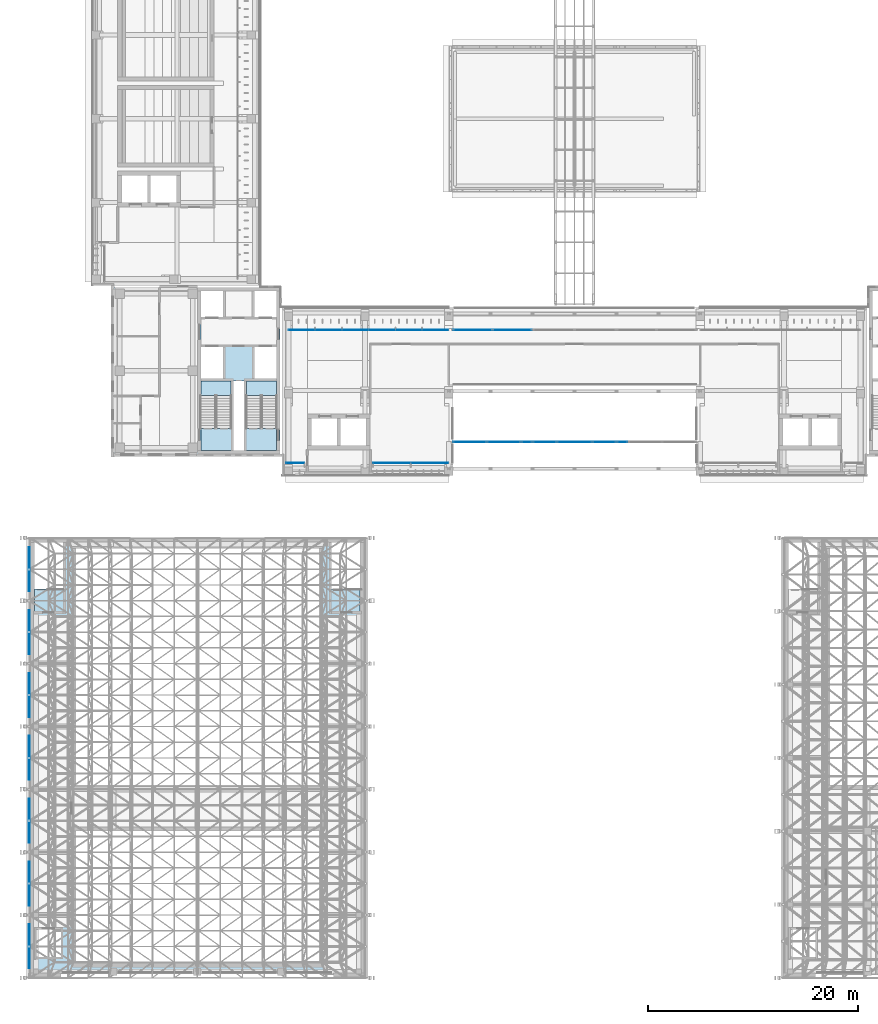
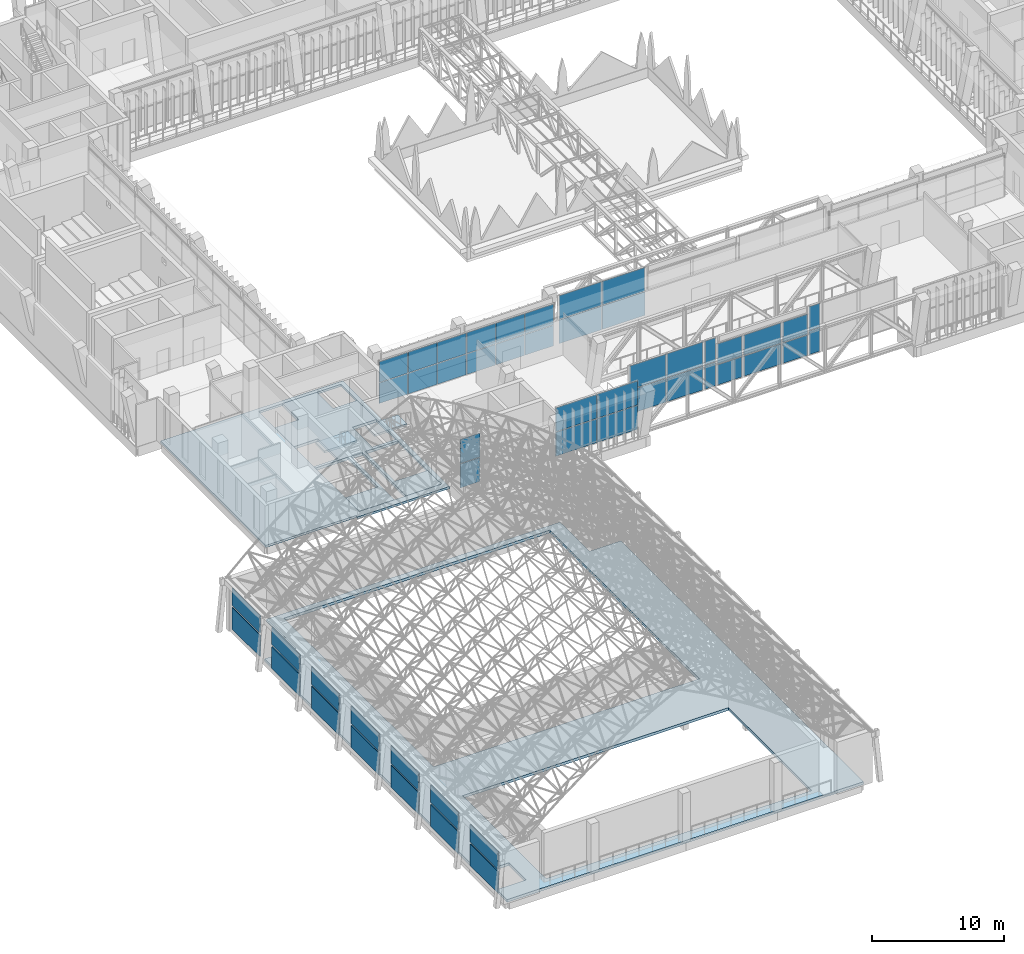
# One storey, part 90 of 141: 50 plates, 5 slabs, 12 elements without a shape of their own.
"""IFC4 building model written with IfcOpenShell, lengths in metres."""

from ifc_helpers import new_model, si_unit, direction, frame, origin, origin_2d, place, context, subcontext, project, spatial, polyline, rectangle, outline, extrude, material, layer, layer_set, type_object, element, aggregate, save


model = new_model("IFC4")

# Units and contexts
model_context = context("Model", 3, precision=1e-05, world=origin(), true_north=direction((0.0, 1.0)))
body_context = subcontext(model_context, "Body", "Model", "MODEL_VIEW")
ifc_project = project(units=[si_unit("LENGTHUNIT", "METRE"), si_unit("AREAUNIT", "SQUARE_METRE"), si_unit("VOLUMEUNIT", "CUBIC_METRE"), si_unit("PLANEANGLEUNIT", "RADIAN"), si_unit("MASSUNIT", "GRAM", prefix="KILO")], contexts=[model_context])

# Site, building, storey
site_placement = place(None, origin())
site = spatial("IfcSite", under=ifc_project, at=site_placement, CompositionType="ELEMENT")
building_placement = place(site_placement, origin())
building = spatial("IfcBuilding", under=site, at=building_placement, Name="Lantern Court Media Centre", CompositionType="ELEMENT")
storey_placement = place(building_placement, frame((0.0, 0.0, 9.60009765625)))
storey = spatial("IfcBuildingStorey", under=building, at=storey_placement, Name="L02", CompositionType="ELEMENT", Elevation=9.60009765625)

# Slab
ifc_material_1 = material(Name="Concrete C40", Category="concrete")
ifc_layer_1 = layer(ifc_material_1, 0.25)
ifc_layer_set_1 = layer_set([ifc_layer_1], Name="Concrete C40")
slab_type_1 = type_object("IfcSlabType", Name="Core floor slab 250", PredefinedType="FLOOR", material=ifc_layer_set_1)
slab_1_placement = place(storey_placement, frame((0.0, 0.0, -0.25)))
element("IfcSlab", 1, at=slab_1_placement, inside=storey, type_object=slab_type_1, Name="L02 SW core floor", PredefinedType="FLOOR", context=body_context, shape_type="SweptSolid", body=[
    extrude(outline(polyline([(16.35009765625, 58.199951171875), (16.35009765625, 61.10009765625), (18.449951171875, 61.10009765625), (18.449951171875, 63.550048828125), (21.449951171875, 63.550048828125), (21.449951171875, 61.10009765625), (23.550048828125, 61.10009765625), (23.550048828125, 58.199951171875), (21.449951171875, 58.199951171875), (21.449951171875, 55.199951171875), (23.550048828125, 55.199951171875), (23.550048828125, 54.94970703125), (20.700439453125, 54.94970703125), (20.700439453125, 50.450439453125), (23.550048828125, 50.450439453125), (23.550048828125, 48.35009765625), (20.449951171875, 48.35009765625), (20.449951171875, 54.949951171875), (19.449951171875, 54.949951171875), (19.449951171875, 48.35009765625), (16.35009765625, 48.35009765625), (16.35009765625, 50.450439453125), (19.19970703125, 50.450439453125), (19.19970703125, 54.94970703125), (16.35009765625, 54.94970703125), (16.35009765625, 55.199951171875), (18.449951171875, 55.199951171875), (18.449951171875, 58.199951171875), (16.35009765625, 58.199951171875)])), origin(), (0.0, 0.0, 1.0), 0.25),
])

# Curtain wall, plates
ifc_material_2 = material(Name="Curtain wall bay 2400")
curtain_wall_type_1 = type_object("IfcCurtainWallType", Name="Curtain wall bay 2400", PredefinedType="NOTDEFINED", material=ifc_material_2)
curtain_wall_1_placement = place(storey_placement, origin())
curtain_wall_1 = element("IfcCurtainWall", 2, at=curtain_wall_1_placement, inside=storey, type_object=curtain_wall_type_1, Name="Curtain wall S inner L02", PredefinedType="NOTDEFINED")
ifc_material_3 = material(Name="Low-iron double glazed unit glass", Category="glass")
ifc_layer_2 = layer(ifc_material_3, 0.02392578125)
ifc_layer_set_2 = layer_set([ifc_layer_2], Name="Low-iron double glazed unit glass")
plate_type_1 = type_object("IfcPlateType", Name="Curtain wall glazing unit 24", PredefinedType="CURTAIN_PANEL", material=ifc_layer_set_2)
plate_1_placement = place(storey_placement, frame((25.987548828125, 59.85009765625, 0.050048828125), z_axis=(0.0, 0.0, 1.0), x_axis=(1.0, 0.0, 0.0)))
plate_1 = element("IfcPlate", 3, at=plate_1_placement, type_object=plate_type_1, Name="CW2 panel 1.1", PredefinedType="CURTAIN_PANEL", context=body_context, shape_type="SweptSolid", body=[
    extrude(rectangle(XDim=2.47509765625, YDim=0.02392578125, at=origin_2d()), origin(), (0.0, 0.0, 1.0), 1.89990234375),
])
plate_2_placement = place(storey_placement, frame((25.987548828125, 59.85009765625, 2.0), z_axis=(0.0, 0.0, 1.0), x_axis=(1.0, 0.0, 0.0)))
plate_2 = element("IfcPlate", 4, at=plate_2_placement, type_object=plate_type_1, Name="CW2 panel 1.2", PredefinedType="CURTAIN_PANEL", context=body_context, shape_type="SweptSolid", body=[
    extrude(rectangle(XDim=2.47509765625, YDim=0.02392578125, at=origin_2d()), origin(), (0.0, 0.0, 1.0), 1.89990234375),
])
plate_3_placement = place(storey_placement, frame((28.52490234375, 59.85009765625, 0.050048828125), z_axis=(0.0, 0.0, 1.0), x_axis=(1.0, 0.0, 0.0)))
plate_3 = element("IfcPlate", 5, at=plate_3_placement, type_object=plate_type_1, Name="CW2 panel 2.1", PredefinedType="CURTAIN_PANEL", context=body_context, shape_type="SweptSolid", body=[
    extrude(rectangle(XDim=2.5, YDim=0.02392578125, at=origin_2d()), origin(), (0.0, 0.0, 1.0), 1.89990234375),
])
plate_4_placement = place(storey_placement, frame((28.52490234375, 59.85009765625, 2.0), z_axis=(0.0, 0.0, 1.0), x_axis=(1.0, 0.0, 0.0)))
plate_4 = element("IfcPlate", 6, at=plate_4_placement, type_object=plate_type_1, Name="CW2 panel 2.2", PredefinedType="CURTAIN_PANEL", context=body_context, shape_type="SweptSolid", body=[
    extrude(rectangle(XDim=2.5, YDim=0.02392578125, at=origin_2d()), origin(), (0.0, 0.0, 1.0), 1.89990234375),
])
plate_5_placement = place(storey_placement, frame((31.074951171875, 59.85009765625, 0.050048828125), z_axis=(0.0, 0.0, 1.0), x_axis=(1.0, 0.0, 0.0)))
plate_5 = element("IfcPlate", 7, at=plate_5_placement, type_object=plate_type_1, Name="CW2 panel 3.1", PredefinedType="CURTAIN_PANEL", context=body_context, shape_type="SweptSolid", body=[
    extrude(rectangle(XDim=2.5, YDim=0.02392578125, at=origin_2d()), origin(), (0.0, 0.0, 1.0), 1.89990234375),
])
plate_6_placement = place(storey_placement, frame((31.074951171875, 59.85009765625, 2.0), z_axis=(0.0, 0.0, 1.0), x_axis=(1.0, 0.0, 0.0)))
plate_6 = element("IfcPlate", 8, at=plate_6_placement, type_object=plate_type_1, Name="CW2 panel 3.2", PredefinedType="CURTAIN_PANEL", context=body_context, shape_type="SweptSolid", body=[
    extrude(rectangle(XDim=2.5, YDim=0.02392578125, at=origin_2d()), origin(), (0.0, 0.0, 1.0), 1.89990234375),
])
plate_7_placement = place(storey_placement, frame((33.625, 59.85009765625, 0.050048828125), z_axis=(0.0, 0.0, 1.0), x_axis=(1.0, 0.0, 0.0)))
plate_7 = element("IfcPlate", 9, at=plate_7_placement, type_object=plate_type_1, Name="CW2 panel 4.1", PredefinedType="CURTAIN_PANEL", context=body_context, shape_type="SweptSolid", body=[
    extrude(rectangle(XDim=2.5, YDim=0.02392578125, at=origin_2d()), origin(), (0.0, 0.0, 1.0), 1.89990234375),
])
plate_8_placement = place(storey_placement, frame((33.625, 59.85009765625, 2.0), z_axis=(0.0, 0.0, 1.0), x_axis=(1.0, 0.0, 0.0)))
plate_8 = element("IfcPlate", 10, at=plate_8_placement, type_object=plate_type_1, Name="CW2 panel 4.2", PredefinedType="CURTAIN_PANEL", context=body_context, shape_type="SweptSolid", body=[
    extrude(rectangle(XDim=2.5, YDim=0.02392578125, at=origin_2d()), origin(), (0.0, 0.0, 1.0), 1.89990234375),
])
plate_9_placement = place(storey_placement, frame((36.175048828125, 59.85009765625, 0.050048828125), z_axis=(0.0, 0.0, 1.0), x_axis=(1.0, 0.0, 0.0)))
plate_9 = element("IfcPlate", 11, at=plate_9_placement, type_object=plate_type_1, Name="CW2 panel 5.1", PredefinedType="CURTAIN_PANEL", context=body_context, shape_type="SweptSolid", body=[
    extrude(rectangle(XDim=2.5, YDim=0.02392578125, at=origin_2d()), origin(), (0.0, 0.0, 1.0), 1.89990234375),
])
plate_10_placement = place(storey_placement, frame((36.175048828125, 59.85009765625, 2.0), z_axis=(0.0, 0.0, 1.0), x_axis=(1.0, 0.0, 0.0)))
plate_10 = element("IfcPlate", 12, at=plate_10_placement, type_object=plate_type_1, Name="CW2 panel 5.2", PredefinedType="CURTAIN_PANEL", context=body_context, shape_type="SweptSolid", body=[
    extrude(rectangle(XDim=2.5, YDim=0.02392578125, at=origin_2d()), origin(), (0.0, 0.0, 1.0), 1.89990234375),
])
plate_11_placement = place(storey_placement, frame((38.71240234375, 59.85009765625, 2.0), z_axis=(0.0, 0.0, 1.0), x_axis=(1.0, 0.0, 0.0)))
plate_11 = element("IfcPlate", 13, at=plate_11_placement, type_object=plate_type_1, Name="CW2 panel 6.2", PredefinedType="CURTAIN_PANEL", context=body_context, shape_type="SweptSolid", body=[
    extrude(rectangle(XDim=2.47509765625, YDim=0.02392578125, at=origin_2d()), origin(), (0.0, 0.0, 1.0), 1.89990234375),
])

ifc_material_4 = material(Name="Curtain wall bay 3000")
curtain_wall_type_2 = type_object("IfcCurtainWallType", Name="Curtain wall bay 3000", PredefinedType="NOTDEFINED", material=ifc_material_4)
curtain_wall_2_placement = place(storey_placement, origin())
curtain_wall_2 = element("IfcCurtainWall", 14, at=curtain_wall_2_placement, inside=storey, type_object=curtain_wall_type_2, Name="Curtain wall S outer L02", PredefinedType="NOTDEFINED")
ifc_layer_3 = layer(ifc_material_3, 0.028076171875)
ifc_layer_set_3 = layer_set([ifc_layer_3], Name="Low-iron double glazed unit glass")
plate_type_2 = type_object("IfcPlateType", Name="Curtain wall glazing unit 28", PredefinedType="CURTAIN_PANEL", material=ifc_layer_set_3)
plate_12_placement = place(storey_placement, frame((25.3349609375, 47.14990234375, 0.06005859375), z_axis=(0.0, 0.0, 1.0), x_axis=(1.0, 0.0, 0.0)))
plate_12 = element("IfcPlate", 15, at=plate_12_placement, type_object=plate_type_2, Name="CW1 panel 1.1", PredefinedType="CURTAIN_PANEL", context=body_context, shape_type="SweptSolid", body=[
    extrude(rectangle(XDim=1.7099609375, YDim=0.028076171875, at=origin_2d()), origin(), (0.0, 0.0, 1.0), 2.199951171875),
])
plate_13_placement = place(storey_placement, frame((25.3349609375, 47.14990234375, 2.31982421875), z_axis=(0.0, 0.0, 1.0), x_axis=(1.0, 0.0, 0.0)))
plate_13 = element("IfcPlate", 16, at=plate_13_placement, type_object=plate_type_2, Name="CW1 panel 1.2", PredefinedType="CURTAIN_PANEL", context=body_context, shape_type="SweptSolid", body=[
    extrude(rectangle(XDim=1.7099609375, YDim=0.028076171875, at=origin_2d()), origin(), (0.0, 0.0, 1.0), 2.199951171875),
])
aggregate(curtain_wall_2, [plate_12, plate_13])

curtain_wall_3_placement = place(storey_placement, origin())
curtain_wall_3 = element("IfcCurtainWall", 17, at=curtain_wall_3_placement, inside=storey, type_object=curtain_wall_type_2, Name="Curtain wall S outer L02", PredefinedType="NOTDEFINED")
plate_14_placement = place(storey_placement, frame((34.577392578125, 47.14990234375, 0.06005859375), z_axis=(0.0, 0.0, 1.0), x_axis=(1.0, 0.0, 0.0)))
plate_14 = element("IfcPlate", 18, at=plate_14_placement, type_object=plate_type_2, Name="CW1 panel 1.1", PredefinedType="CURTAIN_PANEL", context=body_context, shape_type="SweptSolid", body=[
    extrude(rectangle(XDim=3.534912109375, YDim=0.028076171875, at=origin_2d()), origin(), (0.0, 0.0, 1.0), 2.199951171875),
])
plate_15_placement = place(storey_placement, frame((34.577392578125, 47.14990234375, 2.31982421875), z_axis=(0.0, 0.0, 1.0), x_axis=(1.0, 0.0, 0.0)))
plate_15 = element("IfcPlate", 19, at=plate_15_placement, type_object=plate_type_2, Name="CW1 panel 1.2", PredefinedType="CURTAIN_PANEL", context=body_context, shape_type="SweptSolid", body=[
    extrude(rectangle(XDim=3.534912109375, YDim=0.028076171875, at=origin_2d()), origin(), (0.0, 0.0, 1.0), 2.199951171875),
])
plate_16_placement = place(storey_placement, frame((38.172607421875, 47.14990234375, 0.06005859375), z_axis=(0.0, 0.0, 1.0), x_axis=(1.0, 0.0, 0.0)))
plate_16 = element("IfcPlate", 20, at=plate_16_placement, type_object=plate_type_2, Name="CW1 panel 2.1", PredefinedType="CURTAIN_PANEL", context=body_context, shape_type="SweptSolid", body=[
    extrude(rectangle(XDim=3.534912109375, YDim=0.028076171875, at=origin_2d()), origin(), (0.0, 0.0, 1.0), 2.199951171875),
])
plate_17_placement = place(storey_placement, frame((38.172607421875, 47.14990234375, 2.31982421875), z_axis=(0.0, 0.0, 1.0), x_axis=(1.0, 0.0, 0.0)))
plate_17 = element("IfcPlate", 21, at=plate_17_placement, type_object=plate_type_2, Name="CW1 panel 2.2", PredefinedType="CURTAIN_PANEL", context=body_context, shape_type="SweptSolid", body=[
    extrude(rectangle(XDim=3.534912109375, YDim=0.028076171875, at=origin_2d()), origin(), (0.0, 0.0, 1.0), 2.199951171875),
])
aggregate(curtain_wall_3, [plate_14, plate_15, plate_16, plate_17])

ifc_material_5 = material(Name="Curtain wall bay 4000")
curtain_wall_type_3 = type_object("IfcCurtainWallType", Name="Curtain wall bay 4000", PredefinedType="NOTDEFINED", material=ifc_material_5)
curtain_wall_4_placement = place(storey_placement, origin())
curtain_wall_4 = element("IfcCurtainWall", 22, at=curtain_wall_4_placement, inside=storey, type_object=curtain_wall_type_3, Name="Curtain wall S outer L02", PredefinedType="NOTDEFINED")
ifc_material_6 = material(Name="Laminated low-iron glass", Category="glass")
ifc_layer_4 = layer(ifc_material_6, 0.0400390625)
ifc_layer_set_4 = layer_set([ifc_layer_4], Name="Laminated low-iron glass")
plate_type_3 = type_object("IfcPlateType", Name="Curtain wall glazing unit 40", PredefinedType="CURTAIN_PANEL", material=ifc_layer_set_4)
plate_18_placement = place(storey_placement, frame((42.007568359375, 49.14990234375, 0.079833984375), z_axis=(0.0, 0.0, 1.0), x_axis=(1.0, 0.0, 0.0)))
plate_18 = element("IfcPlate", 23, at=plate_18_placement, type_object=plate_type_3, Name="CW3 panel 1.1", PredefinedType="CURTAIN_PANEL", context=body_context, shape_type="SweptSolid", body=[
    extrude(rectangle(XDim=3.155029296875, YDim=0.0400390625, at=origin_2d()), origin(), (0.0, 0.0, 1.0), 2.169921875),
])
plate_19_placement = place(storey_placement, frame((42.007568359375, 49.14990234375, 2.329833984375), z_axis=(0.0, 0.0, 1.0), x_axis=(1.0, 0.0, 0.0)))
plate_19 = element("IfcPlate", 24, at=plate_19_placement, type_object=plate_type_3, Name="CW3 panel 1.2", PredefinedType="CURTAIN_PANEL", context=body_context, shape_type="SweptSolid", body=[
    extrude(rectangle(XDim=3.155029296875, YDim=0.0400390625, at=origin_2d()), origin(), (0.0, 0.0, 1.0), 2.169921875),
])
plate_20_placement = place(storey_placement, frame((45.242431640625, 49.14990234375, 0.079833984375), z_axis=(0.0, 0.0, 1.0), x_axis=(1.0, 0.0, 0.0)))
plate_20 = element("IfcPlate", 25, at=plate_20_placement, type_object=plate_type_3, Name="CW3 panel 2.1", PredefinedType="CURTAIN_PANEL", context=body_context, shape_type="SweptSolid", body=[
    extrude(rectangle(XDim=3.155029296875, YDim=0.0400390625, at=origin_2d()), origin(), (0.0, 0.0, 1.0), 2.169921875),
])
plate_21_placement = place(storey_placement, frame((45.242431640625, 49.14990234375, 2.329833984375), z_axis=(0.0, 0.0, 1.0), x_axis=(1.0, 0.0, 0.0)))
plate_21 = element("IfcPlate", 26, at=plate_21_placement, type_object=plate_type_3, Name="CW3 panel 2.2", PredefinedType="CURTAIN_PANEL", context=body_context, shape_type="SweptSolid", body=[
    extrude(rectangle(XDim=3.155029296875, YDim=0.0400390625, at=origin_2d()), origin(), (0.0, 0.0, 1.0), 2.169921875),
])
aggregate(curtain_wall_4, [plate_18, plate_19, plate_20, plate_21])

curtain_wall_5_placement = place(storey_placement, origin())
curtain_wall_5 = element("IfcCurtainWall", 27, at=curtain_wall_5_placement, inside=storey, type_object=curtain_wall_type_3, Name="Curtain wall S outer L02", PredefinedType="NOTDEFINED")
plate_22_placement = place(storey_placement, frame((47.449951171875, 49.14990234375, 0.079833984375), z_axis=(0.0, 0.0, 1.0), x_axis=(1.0, 0.0, 0.0)))
plate_22 = element("IfcPlate", 28, at=plate_22_placement, type_object=plate_type_3, Name="CW3 panel 1.1", PredefinedType="CURTAIN_PANEL", context=body_context, shape_type="SweptSolid", body=[
    extrude(rectangle(XDim=0.93994140625, YDim=0.0400390625, at=origin_2d()), origin(), (0.0, 0.0, 1.0), 2.169921875),
])
plate_23_placement = place(storey_placement, frame((47.449951171875, 49.14990234375, 2.329833984375), z_axis=(0.0, 0.0, 1.0), x_axis=(1.0, 0.0, 0.0)))
plate_23 = element("IfcPlate", 29, at=plate_23_placement, type_object=plate_type_3, Name="CW3 panel 1.2", PredefinedType="CURTAIN_PANEL", context=body_context, shape_type="SweptSolid", body=[
    extrude(rectangle(XDim=0.93994140625, YDim=0.0400390625, at=origin_2d()), origin(), (0.0, 0.0, 1.0), 2.169921875),
])
aggregate(curtain_wall_5, [plate_22, plate_23])

curtain_wall_6_placement = place(storey_placement, origin())
curtain_wall_6 = element("IfcCurtainWall", 30, at=curtain_wall_6_placement, inside=storey, type_object=curtain_wall_type_3, Name="Curtain wall S outer L02", PredefinedType="NOTDEFINED")
plate_24_placement = place(storey_placement, frame((49.14990234375, 49.14990234375, 0.079833984375), z_axis=(0.0, 0.0, 1.0), x_axis=(1.0, 0.0, 0.0)))
plate_24 = element("IfcPlate", 31, at=plate_24_placement, type_object=plate_type_3, Name="CW3 panel 1.1", PredefinedType="CURTAIN_PANEL", context=body_context, shape_type="SweptSolid", body=[
    extrude(rectangle(XDim=2.139892578125, YDim=0.0400390625, at=origin_2d()), origin(), (0.0, 0.0, 1.0), 1.85498046875),
])
plate_25_placement = place(storey_placement, frame((49.14990234375, 49.14990234375, 2.014892578125), z_axis=(0.0, 0.0, 1.0), x_axis=(1.0, 0.0, 0.0)))
plate_25 = element("IfcPlate", 32, at=plate_25_placement, type_object=plate_type_3, Name="CW3 panel 1.2", PredefinedType="CURTAIN_PANEL", context=body_context, shape_type="SweptSolid", body=[
    extrude(rectangle(XDim=2.139892578125, YDim=0.0400390625, at=origin_2d()), origin(), (0.0, 0.0, 1.0), 1.85498046875),
])
aggregate(curtain_wall_6, [plate_24, plate_25])

curtain_wall_7_placement = place(storey_placement, origin())
curtain_wall_7 = element("IfcCurtainWall", 33, at=curtain_wall_7_placement, inside=storey, type_object=curtain_wall_type_3, Name="Curtain wall S outer L02", PredefinedType="NOTDEFINED")
plate_26_placement = place(storey_placement, frame((52.0, 49.14990234375, 0.079833984375), z_axis=(0.0, 0.0, 1.0), x_axis=(1.0, 0.0, 0.0)))
plate_26 = element("IfcPlate", 34, at=plate_26_placement, type_object=plate_type_3, Name="CW3 panel 1.1", PredefinedType="CURTAIN_PANEL", context=body_context, shape_type="SweptSolid", body=[
    extrude(rectangle(XDim=3.239990234375, YDim=0.0400390625, at=origin_2d()), origin(), (0.0, 0.0, 1.0), 1.85498046875),
])
plate_27_placement = place(storey_placement, frame((52.0, 49.14990234375, 2.014892578125), z_axis=(0.0, 0.0, 1.0), x_axis=(1.0, 0.0, 0.0)))
plate_27 = element("IfcPlate", 35, at=plate_27_placement, type_object=plate_type_3, Name="CW3 panel 1.2", PredefinedType="CURTAIN_PANEL", context=body_context, shape_type="SweptSolid", body=[
    extrude(rectangle(XDim=3.239990234375, YDim=0.0400390625, at=origin_2d()), origin(), (0.0, 0.0, 1.0), 1.85498046875),
])
aggregate(curtain_wall_7, [plate_26, plate_27])

curtain_wall_8_placement = place(storey_placement, origin())
curtain_wall_8 = element("IfcCurtainWall", 36, at=curtain_wall_8_placement, inside=storey, type_object=curtain_wall_type_3, Name="Curtain wall S outer L02", PredefinedType="NOTDEFINED")
plate_28_placement = place(storey_placement, frame((54.85009765625, 49.14990234375, 0.079833984375), z_axis=(0.0, 0.0, 1.0), x_axis=(1.0, 0.0, 0.0)))
plate_28 = element("IfcPlate", 37, at=plate_28_placement, type_object=plate_type_3, Name="CW3 panel 1.1", PredefinedType="CURTAIN_PANEL", context=body_context, shape_type="SweptSolid", body=[
    extrude(rectangle(XDim=2.139892578125, YDim=0.0400390625, at=origin_2d()), origin(), (0.0, 0.0, 1.0), 1.85498046875),
])
plate_29_placement = place(storey_placement, frame((54.85009765625, 49.14990234375, 2.014892578125), z_axis=(0.0, 0.0, 1.0), x_axis=(1.0, 0.0, 0.0)))
plate_29 = element("IfcPlate", 38, at=plate_29_placement, type_object=plate_type_3, Name="CW3 panel 1.2", PredefinedType="CURTAIN_PANEL", context=body_context, shape_type="SweptSolid", body=[
    extrude(rectangle(XDim=2.139892578125, YDim=0.0400390625, at=origin_2d()), origin(), (0.0, 0.0, 1.0), 1.85498046875),
])
aggregate(curtain_wall_8, [plate_28, plate_29])

curtain_wall_9_placement = place(storey_placement, origin())
curtain_wall_9 = element("IfcCurtainWall", 39, at=curtain_wall_9_placement, inside=storey, type_object=curtain_wall_type_3, Name="Curtain wall S outer L02", PredefinedType="NOTDEFINED")
plate_30_placement = place(storey_placement, frame((56.550048828125, 49.14990234375, 0.079833984375), z_axis=(0.0, 0.0, 1.0), x_axis=(1.0, 0.0, 0.0)))
plate_30 = element("IfcPlate", 40, at=plate_30_placement, type_object=plate_type_3, Name="CW3 panel 1.1", PredefinedType="CURTAIN_PANEL", context=body_context, shape_type="SweptSolid", body=[
    extrude(rectangle(XDim=0.93994140625, YDim=0.0400390625, at=origin_2d()), origin(), (0.0, 0.0, 1.0), 2.169921875),
])
plate_31_placement = place(storey_placement, frame((56.550048828125, 49.14990234375, 2.329833984375), z_axis=(0.0, 0.0, 1.0), x_axis=(1.0, 0.0, 0.0)))
plate_31 = element("IfcPlate", 41, at=plate_31_placement, type_object=plate_type_3, Name="CW3 panel 1.2", PredefinedType="CURTAIN_PANEL", context=body_context, shape_type="SweptSolid", body=[
    extrude(rectangle(XDim=0.93994140625, YDim=0.0400390625, at=origin_2d()), origin(), (0.0, 0.0, 1.0), 2.169921875),
])
aggregate(curtain_wall_9, [plate_30, plate_31])

# Plate
ifc_material_7 = material(Name="Insulated aluminium spandrel panel", Category="aluminium")
ifc_layer_5 = layer(ifc_material_7, 0.02392578125)
ifc_layer_set_5 = layer_set([ifc_layer_5], Name="Insulated aluminium spandrel panel")
plate_type_4 = type_object("IfcPlateType", Name="Curtain wall spandrel panel 24", PredefinedType="CURTAIN_PANEL", material=ifc_layer_set_5)
plate_32_placement = place(storey_placement, frame((38.71240234375, 59.85009765625, 0.050048828125), z_axis=(0.0, 0.0, 1.0), x_axis=(1.0, 0.0, 0.0)))
plate_32 = element("IfcPlate", 42, at=plate_32_placement, type_object=plate_type_4, Name="CW2 panel 6.1", PredefinedType="CURTAIN_PANEL", context=body_context, shape_type="SweptSolid", body=[
    extrude(rectangle(XDim=2.47509765625, YDim=0.02392578125, at=origin_2d()), origin(), (0.0, 0.0, 1.0), 1.89990234375),
])

aggregate(curtain_wall_1, [plate_1, plate_2, plate_3, plate_4, plate_5, plate_6, plate_7, plate_8, plate_9, plate_10, plate_32, plate_11])

# Curtain wall, plates
curtain_wall_10_placement = place(storey_placement, origin())
curtain_wall_10 = element("IfcCurtainWall", 43, at=curtain_wall_10_placement, inside=storey, type_object=curtain_wall_type_3, Name="Curtain wall S inner L02", PredefinedType="NOTDEFINED")
plate_33_placement = place(storey_placement, frame((42.282470703125, 59.85009765625, 0.079833984375), z_axis=(0.0, 0.0, 1.0), x_axis=(1.0, 0.0, 0.0)))
plate_33 = element("IfcPlate", 44, at=plate_33_placement, type_object=plate_type_4, Name="CW3 panel 1.1", PredefinedType="CURTAIN_PANEL", context=body_context, shape_type="SweptSolid", body=[
    extrude(rectangle(XDim=3.705078125, YDim=0.0400390625, at=origin_2d()), origin(), (0.0, 0.0, 1.0), 2.169921875),
])
plate_34_placement = place(storey_placement, frame((42.282470703125, 59.85009765625, 2.329833984375), z_axis=(0.0, 0.0, 1.0), x_axis=(1.0, 0.0, 0.0)))
plate_34 = element("IfcPlate", 45, at=plate_34_placement, type_object=plate_type_4, Name="CW3 panel 1.2", PredefinedType="CURTAIN_PANEL", context=body_context, shape_type="SweptSolid", body=[
    extrude(rectangle(XDim=3.705078125, YDim=0.0400390625, at=origin_2d()), origin(), (0.0, 0.0, 1.0), 2.169921875),
])
plate_35_placement = place(storey_placement, frame((46.0673828125, 59.85009765625, 0.079833984375), z_axis=(0.0, 0.0, 1.0), x_axis=(1.0, 0.0, 0.0)))
plate_35 = element("IfcPlate", 46, at=plate_35_placement, type_object=plate_type_4, Name="CW3 panel 2.1", PredefinedType="CURTAIN_PANEL", context=body_context, shape_type="SweptSolid", body=[
    extrude(rectangle(XDim=3.705078125, YDim=0.0400390625, at=origin_2d()), origin(), (0.0, 0.0, 1.0), 2.169921875),
])
plate_36_placement = place(storey_placement, frame((46.0673828125, 59.85009765625, 2.329833984375), z_axis=(0.0, 0.0, 1.0), x_axis=(1.0, 0.0, 0.0)))
plate_36 = element("IfcPlate", 47, at=plate_36_placement, type_object=plate_type_4, Name="CW3 panel 2.2", PredefinedType="CURTAIN_PANEL", context=body_context, shape_type="SweptSolid", body=[
    extrude(rectangle(XDim=3.705078125, YDim=0.0400390625, at=origin_2d()), origin(), (0.0, 0.0, 1.0), 2.169921875),
])
aggregate(curtain_wall_10, [plate_33, plate_34, plate_35, plate_36])

# Slabs
ifc_material_8 = material(Name="Concrete C35", Category="concrete")
ifc_layer_6 = layer(ifc_material_8, 0.199951171875)
ifc_layer_set_6 = layer_set([ifc_layer_6], Name="Concrete C35")
slab_type_2 = type_object("IfcSlabType", Name="RC FLOOR SLAB 200", PredefinedType="FLOOR", material=ifc_layer_set_6)
slab_2_placement = place(storey_placement, frame((0.0, 0.0, -0.2001953125)))
element("IfcSlab", 48, at=slab_2_placement, inside=storey, type_object=slab_type_2, Name="SL-SW-L02", PredefinedType="FLOOR", context=body_context, shape_type="SweptSolid", body=[
    extrude(outline(polyline([(8.0, 63.89990234375), (23.89990234375, 63.89990234375), (23.89990234375, 48.0), (23.89990234375, 47.780029296875), (15.89990234375, 47.780029296875), (15.89990234375, 48.0), (8.0, 48.0), (8.0, 63.89990234375)]), holes=[polyline([(16.35009765625, 63.550048828125), (16.35009765625, 48.35009765625), (23.550048828125, 48.35009765625), (23.550048828125, 63.550048828125), (16.35009765625, 63.550048828125)])]), origin(), (0.0, 0.0, 1.0), 0.2001953125),
])
ifc_layer_7 = layer(ifc_material_8, 0.25)
ifc_layer_set_7 = layer_set([ifc_layer_7], Name="Concrete C35")
slab_type_3 = type_object("IfcSlabType", Name="RC FLOOR SLAB 250", PredefinedType="FLOOR", material=ifc_layer_set_7)
slab_3_placement = place(storey_placement, frame((0.0, 0.0, -0.25)))
element("IfcSlab", 49, at=slab_3_placement, inside=storey, type_object=slab_type_3, Name="SL-V1-L02", PredefinedType="FLOOR", context=body_context, shape_type="SweptSolid", body=[
    extrude(outline(polyline([(0.449951171875, 35.100341796875), (3.19970703125, 35.100341796875), (3.19970703125, 39.550048828125), (28.80029296875, 39.550048828125), (28.80029296875, 35.100341796875), (31.550048828125, 35.100341796875), (31.550048828125, -1.550048828125), (0.449951171875, -1.550048828125), (0.449951171875, 35.100341796875)]), holes=[polyline([(27.60009765625, 12.0), (4.39990234375, 12.0), (4.39990234375, -0.60009765625), (27.60009765625, -0.60009765625), (27.60009765625, 12.0)]), polyline([(27.60009765625, 39.0), (4.39990234375, 39.0), (4.39990234375, 16.39990234375), (27.60009765625, 16.39990234375), (27.60009765625, 39.0)]), polyline([(0.60009765625, 0.0), (3.0, 0.0), (3.0, 2.60009765625), (0.60009765625, 2.60009765625), (0.60009765625, 0.0)])]), origin(), (0.0, 0.0, 1.0), 0.25),
])

# Stair, slab
stair_type = type_object("IfcStairType", Name="Exit stair 1350", PredefinedType="HALF_TURN_STAIR", material=ifc_material_1)
stair_1_placement = place(storey_placement, origin())
stair_1 = element("IfcStair", 50, at=stair_1_placement, inside=storey, type_object=stair_type, Name="L02 SW exit stair A", PredefinedType="HALF_TURN_STAIR")
ifc_layer_8 = layer(ifc_material_1, 0.199951171875)
ifc_layer_set_8 = layer_set([ifc_layer_8], Name="Concrete C40")
slab_type_4 = type_object("IfcSlabType", Name="Stair landing RC 200", PredefinedType="LANDING", material=ifc_layer_set_8)
slab_4_placement = place(storey_placement, frame((0.0, 0.0, 2.199951171875)))
slab_4 = element("IfcSlab", 51, at=slab_4_placement, type_object=slab_type_4, Name="ST-SWA landing 1", PredefinedType="LANDING", context=body_context, shape_type="SweptSolid", body=[
    extrude(outline(polyline([(19.199951171875, 53.570068359375), (19.199951171875, 54.949951171875), (16.35009765625, 54.949951171875), (16.35009765625, 53.570068359375), (19.199951171875, 53.570068359375)])), origin(), (0.0, 0.0, 1.0), 0.199951171875),
])
aggregate(stair_1, [slab_4])

stair_2_placement = place(storey_placement, origin())
stair_2 = element("IfcStair", 52, at=stair_2_placement, inside=storey, type_object=stair_type, Name="L02 SW exit stair B", PredefinedType="HALF_TURN_STAIR")
slab_5_placement = place(storey_placement, frame((0.0, 0.0, 2.199951171875)))
slab_5 = element("IfcSlab", 53, at=slab_5_placement, type_object=slab_type_4, Name="ST-SWB landing 1", PredefinedType="LANDING", context=body_context, shape_type="SweptSolid", body=[
    extrude(outline(polyline([(23.550048828125, 53.570068359375), (23.550048828125, 54.949951171875), (20.699951171875, 54.949951171875), (20.699951171875, 53.570068359375), (23.550048828125, 53.570068359375)])), origin(), (0.0, 0.0, 1.0), 0.199951171875),
])
aggregate(stair_2, [slab_5])

# Plates
ifc_material_9 = material(Name="Limestone cladding", Category="masonry")
ifc_layer_9 = layer(ifc_material_9, 0.080078125)
ifc_layer_set_9 = layer_set([ifc_layer_9], Name="Limestone cladding")
plate_type_5 = type_object("IfcPlateType", Name="Stone relief panel", PredefinedType="SHEET", material=ifc_layer_set_9)
plate_37_placement = place(storey_placement, frame((-0.0400390625, 1.0, 0.5), z_axis=(0.0, 0.0, 1.0), x_axis=(1.0, 0.0, 0.0)))
element("IfcPlate", 54, at=plate_37_placement, inside=storey, type_object=plate_type_5, Name="Cinema Hall street face relief panel", PredefinedType="SHEET", context=body_context, shape_type="SweptSolid", body=[
    extrude(rectangle(XDim=0.080078125, YDim=4.199951171875, at=origin_2d()), origin(), (0.0, 0.0, 1.0), 2.0),
])
plate_38_placement = place(storey_placement, frame((-0.0400390625, 1.0, 2.699951171875), z_axis=(0.0, 0.0, 1.0), x_axis=(1.0, 0.0, 0.0)))
element("IfcPlate", 55, at=plate_38_placement, inside=storey, type_object=plate_type_5, Name="Cinema Hall street face relief panel", PredefinedType="SHEET", context=body_context, shape_type="SweptSolid", body=[
    extrude(rectangle(XDim=0.080078125, YDim=4.199951171875, at=origin_2d()), origin(), (0.0, 0.0, 1.0), 1.60009765625),
])
plate_39_placement = place(storey_placement, frame((-0.0400390625, 7.0, 0.5), z_axis=(0.0, 0.0, 1.0), x_axis=(1.0, 0.0, 0.0)))
element("IfcPlate", 56, at=plate_39_placement, inside=storey, type_object=plate_type_5, Name="Cinema Hall street face relief panel", PredefinedType="SHEET", context=body_context, shape_type="SweptSolid", body=[
    extrude(rectangle(XDim=0.080078125, YDim=4.199951171875, at=origin_2d()), origin(), (0.0, 0.0, 1.0), 2.0),
])
plate_40_placement = place(storey_placement, frame((-0.0400390625, 7.0, 2.699951171875), z_axis=(0.0, 0.0, 1.0), x_axis=(1.0, 0.0, 0.0)))
element("IfcPlate", 57, at=plate_40_placement, inside=storey, type_object=plate_type_5, Name="Cinema Hall street face relief panel", PredefinedType="SHEET", context=body_context, shape_type="SweptSolid", body=[
    extrude(rectangle(XDim=0.080078125, YDim=4.199951171875, at=origin_2d()), origin(), (0.0, 0.0, 1.0), 1.60009765625),
])
plate_41_placement = place(storey_placement, frame((-0.0400390625, 13.0, 0.5), z_axis=(0.0, 0.0, 1.0), x_axis=(1.0, 0.0, 0.0)))
element("IfcPlate", 58, at=plate_41_placement, inside=storey, type_object=plate_type_5, Name="Cinema Hall street face relief panel", PredefinedType="SHEET", context=body_context, shape_type="SweptSolid", body=[
    extrude(rectangle(XDim=0.080078125, YDim=4.199951171875, at=origin_2d()), origin(), (0.0, 0.0, 1.0), 2.0),
])
plate_42_placement = place(storey_placement, frame((-0.0400390625, 13.0, 2.699951171875), z_axis=(0.0, 0.0, 1.0), x_axis=(1.0, 0.0, 0.0)))
element("IfcPlate", 59, at=plate_42_placement, inside=storey, type_object=plate_type_5, Name="Cinema Hall street face relief panel", PredefinedType="SHEET", context=body_context, shape_type="SweptSolid", body=[
    extrude(rectangle(XDim=0.080078125, YDim=4.199951171875, at=origin_2d()), origin(), (0.0, 0.0, 1.0), 1.60009765625),
])
plate_43_placement = place(storey_placement, frame((-0.0400390625, 19.0, 0.5), z_axis=(0.0, 0.0, 1.0), x_axis=(1.0, 0.0, 0.0)))
element("IfcPlate", 60, at=plate_43_placement, inside=storey, type_object=plate_type_5, Name="Cinema Hall street face relief panel", PredefinedType="SHEET", context=body_context, shape_type="SweptSolid", body=[
    extrude(rectangle(XDim=0.080078125, YDim=4.199951171875, at=origin_2d()), origin(), (0.0, 0.0, 1.0), 2.0),
])
plate_44_placement = place(storey_placement, frame((-0.0400390625, 19.0, 2.699951171875), z_axis=(0.0, 0.0, 1.0), x_axis=(1.0, 0.0, 0.0)))
element("IfcPlate", 61, at=plate_44_placement, inside=storey, type_object=plate_type_5, Name="Cinema Hall street face relief panel", PredefinedType="SHEET", context=body_context, shape_type="SweptSolid", body=[
    extrude(rectangle(XDim=0.080078125, YDim=4.199951171875, at=origin_2d()), origin(), (0.0, 0.0, 1.0), 1.60009765625),
])
plate_45_placement = place(storey_placement, frame((-0.0400390625, 25.0, 0.5), z_axis=(0.0, 0.0, 1.0), x_axis=(1.0, 0.0, 0.0)))
element("IfcPlate", 62, at=plate_45_placement, inside=storey, type_object=plate_type_5, Name="Cinema Hall street face relief panel", PredefinedType="SHEET", context=body_context, shape_type="SweptSolid", body=[
    extrude(rectangle(XDim=0.080078125, YDim=4.199951171875, at=origin_2d()), origin(), (0.0, 0.0, 1.0), 2.0),
])
plate_46_placement = place(storey_placement, frame((-0.0400390625, 25.0, 2.699951171875), z_axis=(0.0, 0.0, 1.0), x_axis=(1.0, 0.0, 0.0)))
element("IfcPlate", 63, at=plate_46_placement, inside=storey, type_object=plate_type_5, Name="Cinema Hall street face relief panel", PredefinedType="SHEET", context=body_context, shape_type="SweptSolid", body=[
    extrude(rectangle(XDim=0.080078125, YDim=4.199951171875, at=origin_2d()), origin(), (0.0, 0.0, 1.0), 1.60009765625),
])
plate_47_placement = place(storey_placement, frame((-0.0400390625, 31.0, 0.5), z_axis=(0.0, 0.0, 1.0), x_axis=(1.0, 0.0, 0.0)))
element("IfcPlate", 64, at=plate_47_placement, inside=storey, type_object=plate_type_5, Name="Cinema Hall street face relief panel", PredefinedType="SHEET", context=body_context, shape_type="SweptSolid", body=[
    extrude(rectangle(XDim=0.080078125, YDim=4.199951171875, at=origin_2d()), origin(), (0.0, 0.0, 1.0), 2.0),
])
plate_48_placement = place(storey_placement, frame((-0.0400390625, 31.0, 2.699951171875), z_axis=(0.0, 0.0, 1.0), x_axis=(1.0, 0.0, 0.0)))
element("IfcPlate", 65, at=plate_48_placement, inside=storey, type_object=plate_type_5, Name="Cinema Hall street face relief panel", PredefinedType="SHEET", context=body_context, shape_type="SweptSolid", body=[
    extrude(rectangle(XDim=0.080078125, YDim=4.199951171875, at=origin_2d()), origin(), (0.0, 0.0, 1.0), 1.60009765625),
])
plate_49_placement = place(storey_placement, frame((-0.0400390625, 37.0, 0.5), z_axis=(0.0, 0.0, 1.0), x_axis=(1.0, 0.0, 0.0)))
element("IfcPlate", 66, at=plate_49_placement, inside=storey, type_object=plate_type_5, Name="Cinema Hall street face relief panel", PredefinedType="SHEET", context=body_context, shape_type="SweptSolid", body=[
    extrude(rectangle(XDim=0.080078125, YDim=4.199951171875, at=origin_2d()), origin(), (0.0, 0.0, 1.0), 2.0),
])
plate_50_placement = place(storey_placement, frame((-0.0400390625, 37.0, 2.699951171875), z_axis=(0.0, 0.0, 1.0), x_axis=(1.0, 0.0, 0.0)))
element("IfcPlate", 67, at=plate_50_placement, inside=storey, type_object=plate_type_5, Name="Cinema Hall street face relief panel", PredefinedType="SHEET", context=body_context, shape_type="SweptSolid", body=[
    extrude(rectangle(XDim=0.080078125, YDim=4.199951171875, at=origin_2d()), origin(), (0.0, 0.0, 1.0), 1.60009765625),
])

save(model, "model.ifc")
